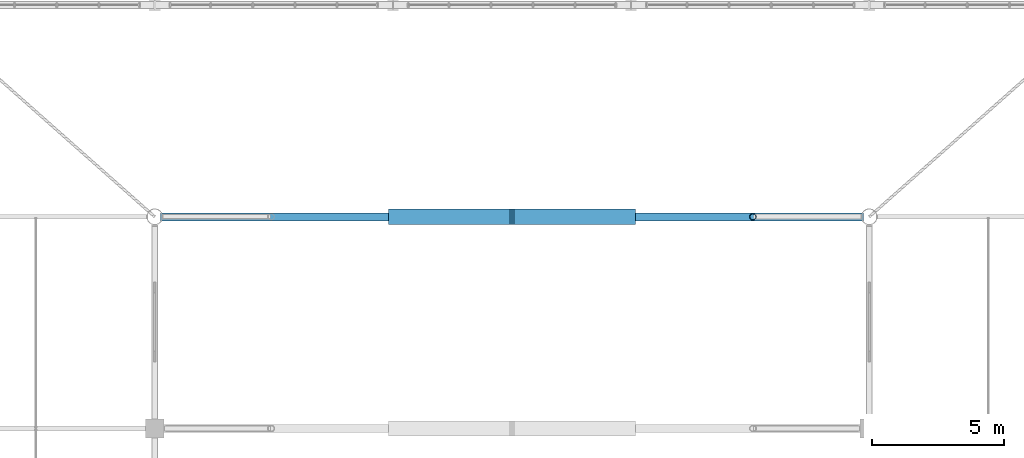
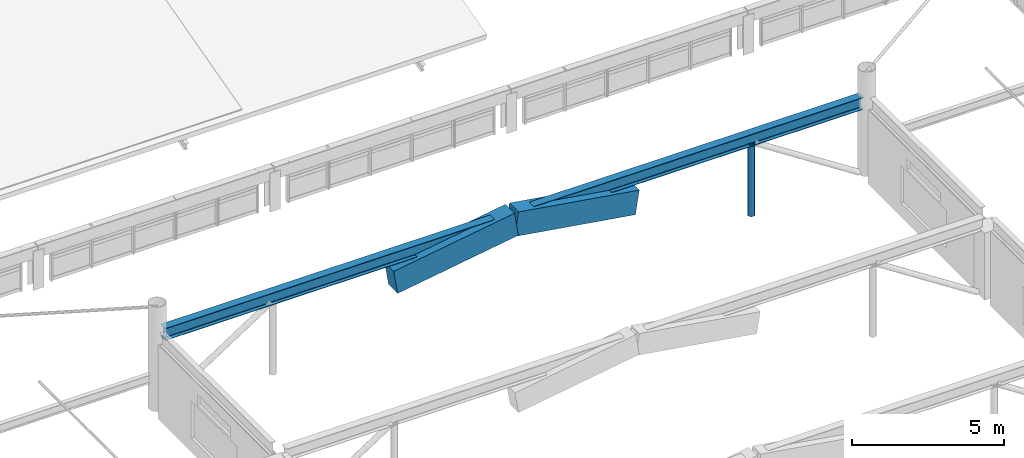
# One storey, part 53 of 128: 2 beams, 2 members.
"""IFC4 building model written with IfcOpenShell, lengths in metres."""

from ifc_helpers import new_model, si_unit, derived_unit, direction, frame, origin, origin_2d, place, context, subcontext, project, spatial, rectangle, hollow_circle, i_section, extrude, material, material_profile, profile_set, type_object, element, save


model = new_model("IFC4")

# Units and contexts
model_context = context("Model", 3, precision=1e-05, world=origin(), true_north=direction((0.0, 1.0)))
body_context = subcontext(model_context, "Body", "Model", "MODEL_VIEW")
ifc_project = project(units=[si_unit("LENGTHUNIT", "METRE"), si_unit("AREAUNIT", "SQUARE_METRE"), si_unit("VOLUMEUNIT", "CUBIC_METRE"), si_unit("PLANEANGLEUNIT", "RADIAN"), si_unit("MASSUNIT", "GRAM", prefix="KILO"), derived_unit("THERMALTRANSMITTANCEUNIT", [(si_unit("MASSUNIT", "GRAM", prefix="KILO"), 1), (si_unit("TIMEUNIT", "SECOND"), -3), (si_unit("THERMODYNAMICTEMPERATUREUNIT", "KELVIN"), -1)])], contexts=[model_context])

# Site, building, storey
site_placement = place(None, origin())
site = spatial("IfcSite", under=ifc_project, at=site_placement, CompositionType="ELEMENT")
building_placement = place(site_placement, origin())
building = spatial("IfcBuilding", under=site, at=building_placement, Name="Zhenchuan Archway Interchange", CompositionType="ELEMENT")
storey_placement = place(building_placement, frame((0.0, 0.0, 14.39990234375)))
storey = spatial("IfcBuildingStorey", under=building, at=storey_placement, Name="L03", CompositionType="ELEMENT", Elevation=14.39990234375)

# Beams
ifc_material_1 = material(Name="Concrete C50", Category="concrete")
ifc_material_profile_1 = material_profile(ifc_material_1, rectangle(XDim=0.60009765625, YDim=0.949951171875, at=origin_2d()), Name="RC 600x950")
ifc_profile_set_1 = profile_set([ifc_material_profile_1], Name="Concrete C50")
beam_type = type_object("IfcBeamType", Name="BM_RC_ARCH_600x950", PredefinedType="BEAM", material=ifc_profile_set_1)
for number, where, z_axis, x_axis, name in (
    (1, (44.902099609375, 80.0, 2.05029296875), (0.987636302069, 0.0, 0.156762670416), (0.0, 1.0, 0.0), "Parabolic RC concourse arch A6 segment 3"),
    (2, (49.501953125, 80.0, 2.77978515625), (0.987636302069, 0.0, -0.156762670416), (0.0, 1.0, 0.0), "Parabolic RC concourse arch A6 segment 4"),
):
    element("IfcBeam", number, at=place(storey_placement, frame(where, z_axis=z_axis, x_axis=x_axis)), inside=storey, type_object=beam_type, Name=name, PredefinedType="BEAM", context=body_context, shape_type="SweptSolid", body=[
        extrude(rectangle(XDim=0.60009765625, YDim=0.949951171875, at=origin_2d()), origin(), (0.0, 0.0, 1.0), 4.653564453125),
    ])

# Members
ifc_material_2 = material(Name="Steel Q390", Category="steel")
ifc_material_profile_2 = material_profile(ifc_material_2, i_section(OverallWidth=0.300048828125, OverallDepth=0.488037109375, WebThickness=0.010986328125, FlangeThickness=0.01806640625, FilletRadius=0.02197265625, at=origin_2d()), Name="HM 488x300")
ifc_profile_set_2 = profile_set([ifc_material_profile_2], Name="Steel Q390")
member_type_1 = type_object("IfcMemberType", Name="MB_CHD_HM488", PredefinedType="CHORD", material=ifc_profile_set_2)
member_1_placement = place(storey_placement, frame((36.219970703125, 80.0, 2.900146484375), z_axis=(1.0, 0.0, 0.0), x_axis=(0.0, 1.0, 0.0)))
element("IfcMember", 3, at=member_1_placement, inside=storey, type_object=member_type_1, Name="ROOF TRUSS concourse arch A6 clerestory tie girder", PredefinedType="CHORD", context=body_context, shape_type="SweptSolid", body=[
    extrude(i_section(OverallWidth=0.300048828125, OverallDepth=0.488037109375, WebThickness=0.010986328125, FlangeThickness=0.01806640625, FilletRadius=0.02197265625, at=origin_2d()), origin(), (0.0, 0.0, 1.0), 26.56005859375),
])
ifc_material_3 = material(Name="Steel Q355", Category="steel")
ifc_material_profile_3 = material_profile(ifc_material_3, hollow_circle(Radius=0.12255859375, WallThickness=0.010009765625, at=origin_2d()), Name="CHS 245x10")
ifc_profile_set_3 = profile_set([ifc_material_profile_3], Name="Steel Q355")
member_type_2 = type_object("IfcMemberType", Name="MB_CHS245", PredefinedType="BRACE", material=ifc_profile_set_3)
member_2_placement = place(storey_placement, frame((58.60009765625, 80.0, -0.199951171875), z_axis=(0.0, 0.0, 1.0), x_axis=(1.0, 0.0, 0.0)))
element("IfcMember", 4, at=member_2_placement, inside=storey, type_object=member_type_2, Name="ROOF TRUSS concourse arch A6 spandrel post 5", PredefinedType="BRACE", context=body_context, shape_type="SweptSolid", body=[
    extrude(hollow_circle(Radius=0.12255859375, WallThickness=0.010009765625, at=origin_2d()), origin(), (0.0, 0.0, 1.0), 2.920166015625),
])

save(model, "model.ifc")
